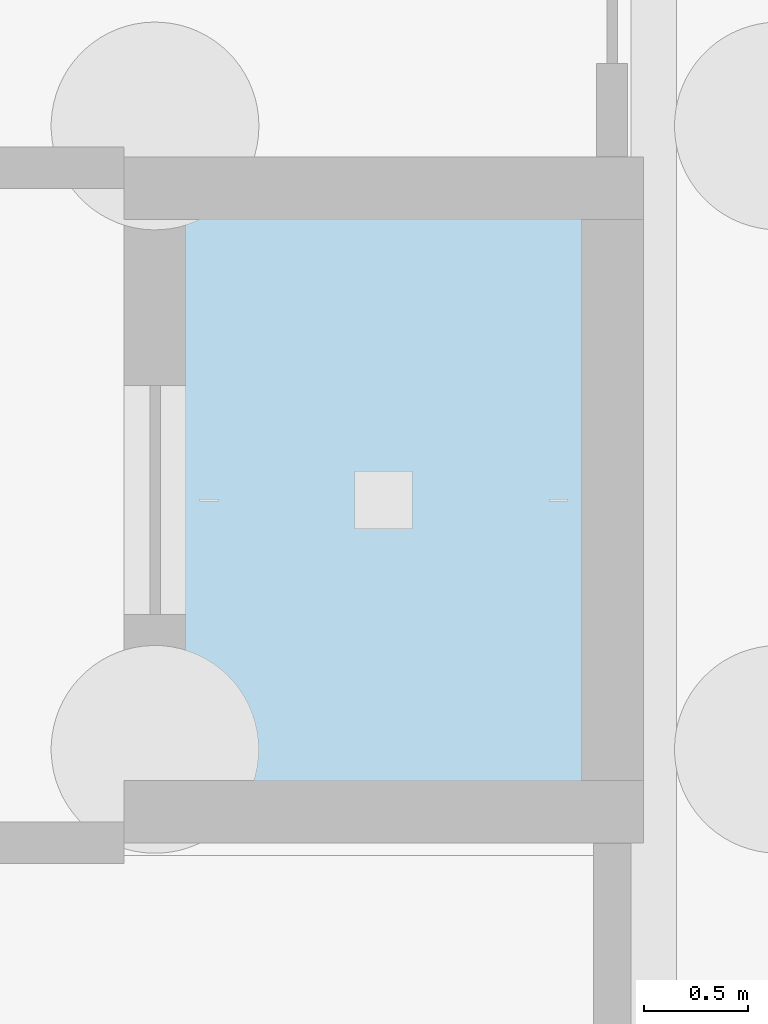
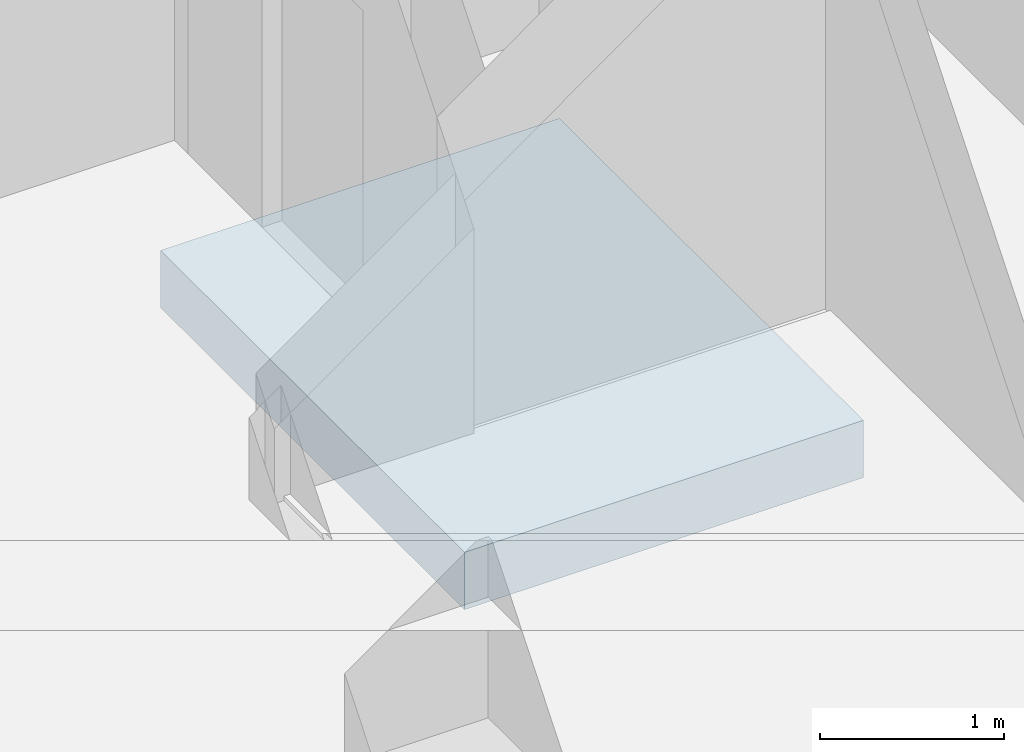
# One storey, part 29 of 44: 1 slab.
"""IFC4 building model written with IfcOpenShell, lengths in metres."""

from ifc_helpers import new_model, si_unit, direction, frame, origin, place, context, subcontext, project, spatial, polyline, outline, extrude, material, layer, layer_set, type_object, element, save


model = new_model("IFC4")

# Units and contexts
model_context = context("Model", 3, precision=1e-05, world=origin(), true_north=direction((0.0, 1.0)))
body_context = subcontext(model_context, "Body", "Model", "MODEL_VIEW")
ifc_project = project(units=[si_unit("LENGTHUNIT", "METRE"), si_unit("AREAUNIT", "SQUARE_METRE"), si_unit("VOLUMEUNIT", "CUBIC_METRE"), si_unit("PLANEANGLEUNIT", "RADIAN"), si_unit("MASSUNIT", "GRAM", prefix="KILO")], contexts=[model_context])

# Site, building, storey
site_placement = place(None, origin())
site = spatial("IfcSite", under=ifc_project, at=site_placement, CompositionType="ELEMENT")
building_placement = place(site_placement, origin())
building = spatial("IfcBuilding", under=site, at=building_placement, Name="Kolvaren Faculty of Natural Sciences", CompositionType="ELEMENT")
storey_placement = place(building_placement, frame((0.0, 0.0, -4.5)))
storey = spatial("IfcBuildingStorey", under=building, at=storey_placement, Name="B01", CompositionType="ELEMENT", Elevation=-4.5)

# Slab
ifc_material = material(Name="Concrete C35/45", Category="concrete")
ifc_layer = layer(ifc_material, 0.3798828125)
ifc_layer_set = layer_set([ifc_layer], Name="Concrete C35/45")
slab_type = type_object("IfcSlabType", Name="LiftPitSlab_380", PredefinedType="BASESLAB", material=ifc_layer_set)
slab_placement = place(storey_placement, frame((0.0, 0.0, -1.199951171875)))
element("IfcSlab", 1, at=slab_placement, inside=storey, type_object=slab_type, Name="Lift FL-1 reinforced concrete pit base slab", PredefinedType="BASESLAB", context=body_context, shape_type="SweptSolid", body=[
    extrude(outline(polyline([(166.050048828125, 68.800048828125), (168.550048828125, 68.800048828125), (168.550048828125, 72.10009765625), (166.050048828125, 72.10009765625), (166.050048828125, 68.800048828125)])), origin(), (0.0, 0.0, 1.0), 0.3798828125),
])

save(model, "model.ifc")
